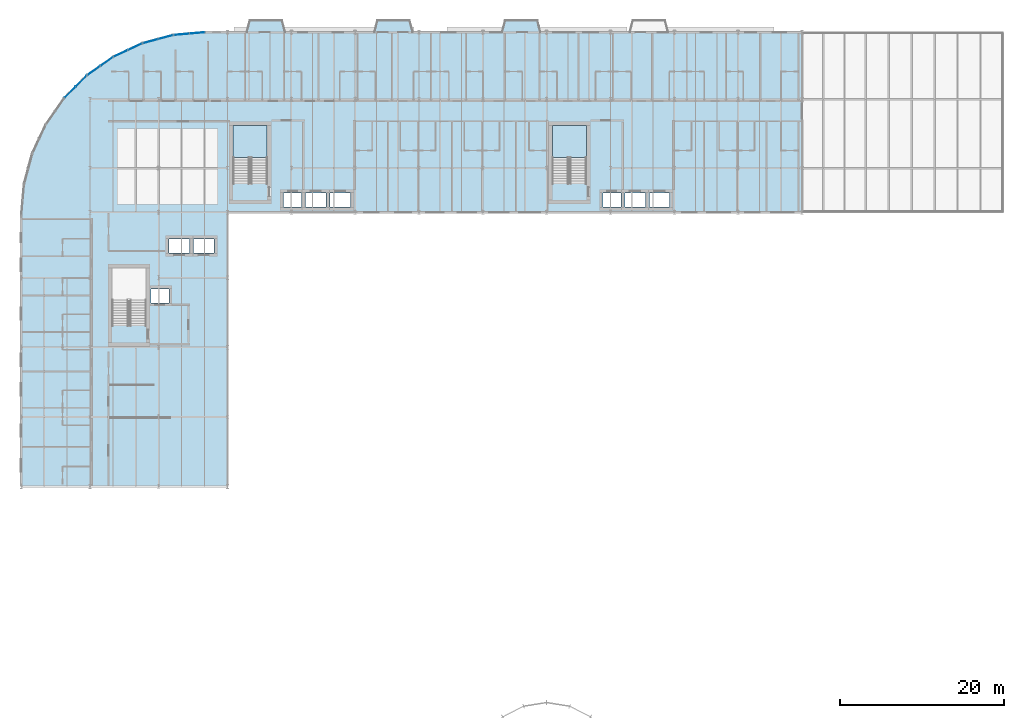
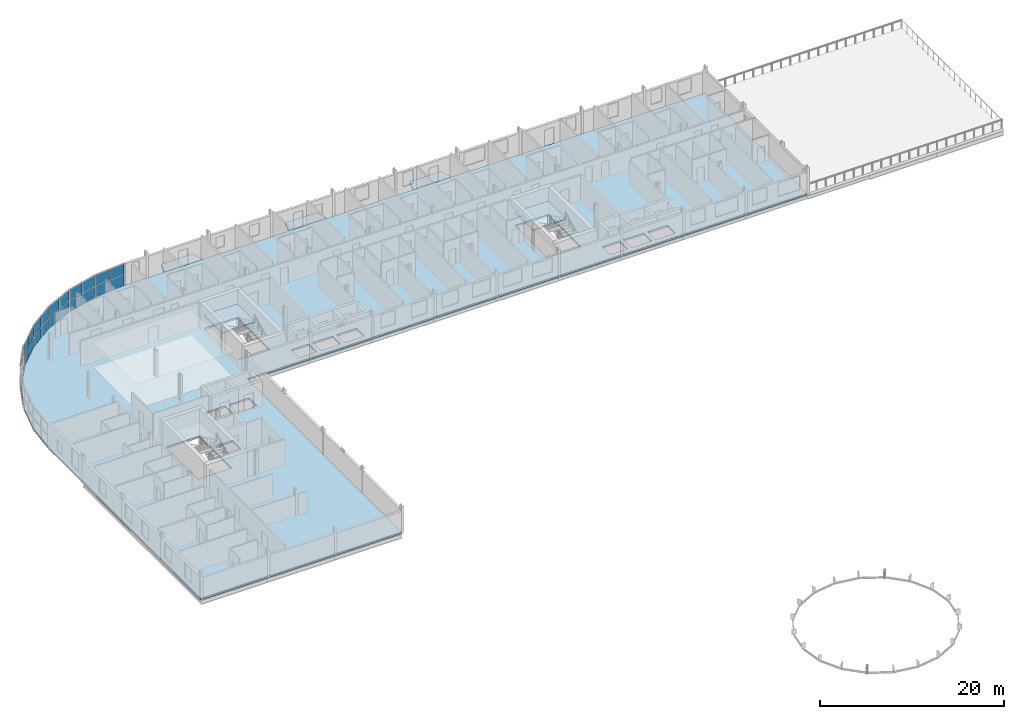
# One storey, part 11 of 30: 20 plates, 6 slabs, 7 elements without a shape of their own.
"""IFC4 building model written with IfcOpenShell, lengths in metres."""

from ifc_helpers import new_model, si_unit, direction, frame, origin, origin_2d, place, context, subcontext, project, spatial, polyline, rectangle, outline, extrude, material, layer, layer_set, type_object, element, aggregate, save


model = new_model("IFC4")

# Units and contexts
model_context = context("Model", 3, precision=1e-05, world=origin(), true_north=direction((0.0, 1.0)))
body_context = subcontext(model_context, "Body", "Model", "MODEL_VIEW")
ifc_project = project(units=[si_unit("LENGTHUNIT", "METRE"), si_unit("AREAUNIT", "SQUARE_METRE"), si_unit("VOLUMEUNIT", "CUBIC_METRE"), si_unit("PLANEANGLEUNIT", "RADIAN"), si_unit("MASSUNIT", "GRAM", prefix="KILO")], contexts=[model_context])

# Site, building, storey
site_placement = place(None, origin())
site = spatial("IfcSite", under=ifc_project, at=site_placement, CompositionType="ELEMENT")
building_placement = place(site_placement, origin())
building = spatial("IfcBuilding", under=site, at=building_placement, Name="Sefraquen Railside Congress Hotel", CompositionType="ELEMENT")
storey_placement = place(building_placement, frame((0.0, 0.0, 35.39990234375)))
storey = spatial("IfcBuildingStorey", under=building, at=storey_placement, Name="L08", CompositionType="ELEMENT", Elevation=35.39990234375)

# Curtain wall, plates
ifc_material_1 = material(Name="Thermally broken anodised aluminium and low-E double glazing", Category="aluminium")
ifc_layer_1 = layer(ifc_material_1, 0.199951171875)
ifc_layer_set_1 = layer_set([ifc_layer_1], Name="Thermally broken anodised aluminium and low-E double glazing")
curtain_wall_type_1 = type_object("IfcCurtainWallType", Name="TCW-UCW-09", PredefinedType="USERDEFINED", material=ifc_layer_set_1)
curtain_wall_1_placement = place(storey_placement, origin())
curtain_wall_1 = element("IfcCurtainWall", 1, at=curtain_wall_1_placement, inside=storey, type_object=curtain_wall_type_1, Name="Rotunda L08 curved curtain wall facet 1", ObjectType="UNITISED CURTAIN WALL", PredefinedType="USERDEFINED")
ifc_material_2 = material(Name="Solar-control low-E double glazing", Category="glass")
ifc_layer_2 = layer(ifc_material_2, 0.02392578125)
ifc_layer_set_2 = layer_set([ifc_layer_2], Name="Solar-control low-E double glazing")
plate_type_1 = type_object("IfcPlateType", Name="TP-CWP-01", PredefinedType="CURTAIN_PANEL", material=ifc_layer_set_2)
plate_1_placement = place(storey_placement, frame((21.50341796875, 117.912841796875, 0.0400390625), z_axis=(0.0, 0.0, 1.0), x_axis=(-0.996196219095, -0.087138355857, 0.0)))
plate_1 = element("IfcPlate", 2, at=plate_1_placement, type_object=plate_type_1, Name="CW-L08-ROT-01 panel 1.1", PredefinedType="CURTAIN_PANEL", context=body_context, shape_type="SweptSolid", body=[
    extrude(rectangle(XDim=1.8310546875, YDim=0.02392578125, at=origin_2d()), origin(), (0.0, 0.0, 1.0), 1.385009765625),
])
plate_2_placement = place(storey_placement, frame((19.589599609375, 117.745361328125, 0.0400390625), z_axis=(0.0, 0.0, 1.0), x_axis=(-0.996196219095, -0.087138355857, 0.0)))
plate_2 = element("IfcPlate", 3, at=plate_2_placement, type_object=plate_type_1, Name="CW-L08-ROT-01 panel 1.2", PredefinedType="CURTAIN_PANEL", context=body_context, shape_type="SweptSolid", body=[
    extrude(rectangle(XDim=1.8310546875, YDim=0.02392578125, at=origin_2d()), origin(), (0.0, 0.0, 1.0), 1.385009765625),
])

ifc_layer_3 = layer(ifc_material_1, 0.199951171875)
ifc_layer_set_3 = layer_set([ifc_layer_3], Name="Thermally broken anodised aluminium and low-E double glazing")
curtain_wall_type_2 = type_object("IfcCurtainWallType", Name="TCW-UCW-10", PredefinedType="USERDEFINED", material=ifc_layer_set_3)
curtain_wall_2_placement = place(storey_placement, origin())
curtain_wall_2 = element("IfcCurtainWall", 4, at=curtain_wall_2_placement, inside=storey, type_object=curtain_wall_type_2, Name="Rotunda L08 curved curtain wall facet 2", ObjectType="UNITISED CURTAIN WALL", PredefinedType="USERDEFINED")
plate_3_placement = place(storey_placement, frame((17.62646484375, 117.399169921875, 0.0400390625), z_axis=(0.0, 0.0, 1.0), x_axis=(-0.96593486019, -0.258785327773, 0.0)))
plate_3 = element("IfcPlate", 5, at=plate_3_placement, type_object=plate_type_1, Name="CW-L08-ROT-02 panel 1.1", PredefinedType="CURTAIN_PANEL", context=body_context, shape_type="SweptSolid", body=[
    extrude(rectangle(XDim=1.8310546875, YDim=0.02392578125, at=origin_2d()), origin(), (0.0, 0.0, 1.0), 1.385009765625),
])
plate_4_placement = place(storey_placement, frame((15.77099609375, 116.902099609375, 0.0400390625), z_axis=(0.0, 0.0, 1.0), x_axis=(-0.96593486019, -0.258785327773, 0.0)))
plate_4 = element("IfcPlate", 6, at=plate_4_placement, type_object=plate_type_1, Name="CW-L08-ROT-02 panel 1.2", PredefinedType="CURTAIN_PANEL", context=body_context, shape_type="SweptSolid", body=[
    extrude(rectangle(XDim=1.8310546875, YDim=0.02392578125, at=origin_2d()), origin(), (0.0, 0.0, 1.0), 1.385009765625),
])

ifc_layer_4 = layer(ifc_material_1, 0.199951171875)
ifc_layer_set_4 = layer_set([ifc_layer_4], Name="Thermally broken anodised aluminium and low-E double glazing")
curtain_wall_type_3 = type_object("IfcCurtainWallType", Name="TCW-UCW-11", PredefinedType="USERDEFINED", material=ifc_layer_set_4)
curtain_wall_3_placement = place(storey_placement, origin())
curtain_wall_3 = element("IfcCurtainWall", 7, at=curtain_wall_3_placement, inside=storey, type_object=curtain_wall_type_3, Name="Rotunda L08 curved curtain wall facet 3", ObjectType="UNITISED CURTAIN WALL", PredefinedType="USERDEFINED")
plate_5_placement = place(storey_placement, frame((13.897705078125, 116.22021484375, 0.0400390625), z_axis=(0.0, 0.0, 1.0), x_axis=(-0.906300410818, -0.422634079731, 0.0)))
plate_5 = element("IfcPlate", 8, at=plate_5_placement, type_object=plate_type_1, Name="CW-L08-ROT-03 panel 1.1", PredefinedType="CURTAIN_PANEL", context=body_context, shape_type="SweptSolid", body=[
    extrude(rectangle(XDim=1.830810546875, YDim=0.02392578125, at=origin_2d()), origin(), (0.0, 0.0, 1.0), 1.385009765625),
])
plate_6_placement = place(storey_placement, frame((12.15673828125, 115.408447265625, 0.0400390625), z_axis=(0.0, 0.0, 1.0), x_axis=(-0.906300410818, -0.422634079731, 0.0)))
plate_6 = element("IfcPlate", 9, at=plate_6_placement, type_object=plate_type_1, Name="CW-L08-ROT-03 panel 1.2", PredefinedType="CURTAIN_PANEL", context=body_context, shape_type="SweptSolid", body=[
    extrude(rectangle(XDim=1.830810546875, YDim=0.02392578125, at=origin_2d()), origin(), (0.0, 0.0, 1.0), 1.385009765625),
])

ifc_layer_5 = layer(ifc_material_1, 0.199951171875)
ifc_layer_set_5 = layer_set([ifc_layer_5], Name="Thermally broken anodised aluminium and low-E double glazing")
curtain_wall_type_4 = type_object("IfcCurtainWallType", Name="TCW-UCW-12", PredefinedType="USERDEFINED", material=ifc_layer_set_5)
curtain_wall_4_placement = place(storey_placement, origin())
curtain_wall_4 = element("IfcCurtainWall", 10, at=curtain_wall_4_placement, inside=storey, type_object=curtain_wall_type_4, Name="Rotunda L08 curved curtain wall facet 4", ObjectType="UNITISED CURTAIN WALL", PredefinedType="USERDEFINED")
plate_7_placement = place(storey_placement, frame((10.430419921875, 114.411865234375, 0.0400390625), z_axis=(0.0, 0.0, 1.0), x_axis=(-0.819132022195, -0.573605029802, 0.0)))
plate_7 = element("IfcPlate", 11, at=plate_7_placement, type_object=plate_type_1, Name="CW-L08-ROT-04 panel 1.1", PredefinedType="CURTAIN_PANEL", context=body_context, shape_type="SweptSolid", body=[
    extrude(rectangle(XDim=1.8310546875, YDim=0.02392578125, at=origin_2d()), origin(), (0.0, 0.0, 1.0), 1.385009765625),
])
plate_8_placement = place(storey_placement, frame((8.856689453125, 113.309814453125, 0.0400390625), z_axis=(0.0, 0.0, 1.0), x_axis=(-0.819132022195, -0.573605029802, 0.0)))
plate_8 = element("IfcPlate", 12, at=plate_8_placement, type_object=plate_type_1, Name="CW-L08-ROT-04 panel 1.2", PredefinedType="CURTAIN_PANEL", context=body_context, shape_type="SweptSolid", body=[
    extrude(rectangle(XDim=1.8310546875, YDim=0.02392578125, at=origin_2d()), origin(), (0.0, 0.0, 1.0), 1.385009765625),
])

ifc_layer_6 = layer(ifc_material_1, 0.199951171875)
ifc_layer_set_6 = layer_set([ifc_layer_6], Name="Thermally broken anodised aluminium and low-E double glazing")
curtain_wall_type_5 = type_object("IfcCurtainWallType", Name="TCW-UCW-13", PredefinedType="USERDEFINED", material=ifc_layer_set_6)
curtain_wall_5_placement = place(storey_placement, origin())
curtain_wall_5 = element("IfcCurtainWall", 13, at=curtain_wall_5_placement, inside=storey, type_object=curtain_wall_type_5, Name="Rotunda L08 curved curtain wall facet 5", ObjectType="UNITISED CURTAIN WALL", PredefinedType="USERDEFINED")
plate_9_placement = place(storey_placement, frame((7.329833984375, 112.028564453125, 0.0400390625), z_axis=(0.0, 0.0, 1.0), x_axis=(-0.707106781187, -0.707106781187, 0.0)))
plate_9 = element("IfcPlate", 14, at=plate_9_placement, type_object=plate_type_1, Name="CW-L08-ROT-05 panel 1.1", PredefinedType="CURTAIN_PANEL", context=body_context, shape_type="SweptSolid", body=[
    extrude(rectangle(XDim=1.8310546875, YDim=0.02392578125, at=origin_2d()), origin(), (0.0, 0.0, 1.0), 1.385009765625),
])
plate_10_placement = place(storey_placement, frame((5.971435546875, 110.670166015625, 0.0400390625), z_axis=(0.0, 0.0, 1.0), x_axis=(-0.707106781187, -0.707106781187, 0.0)))
plate_10 = element("IfcPlate", 15, at=plate_10_placement, type_object=plate_type_1, Name="CW-L08-ROT-05 panel 1.2", PredefinedType="CURTAIN_PANEL", context=body_context, shape_type="SweptSolid", body=[
    extrude(rectangle(XDim=1.8310546875, YDim=0.02392578125, at=origin_2d()), origin(), (0.0, 0.0, 1.0), 1.385009765625),
])

# Plate
ifc_material_3 = material(Name="Triple acoustic solar-control glazing", Category="glass")
ifc_layer_7 = layer(ifc_material_3, 0.031982421875)
ifc_layer_set_7 = layer_set([ifc_layer_7], Name="Triple acoustic solar-control glazing")
plate_type_2 = type_object("IfcPlateType", Name="TP-CWP-02", PredefinedType="CURTAIN_PANEL", material=ifc_layer_set_7)
plate_11_placement = place(storey_placement, frame((21.50341796875, 117.912841796875, 1.5048828125), z_axis=(0.0, 0.0, 1.0), x_axis=(-0.996196219095, -0.087138355857, 0.0)))
plate_11 = element("IfcPlate", 16, at=plate_11_placement, type_object=plate_type_2, Name="CW-L08-ROT-01 panel 2.1", PredefinedType="CURTAIN_PANEL", context=body_context, shape_type="SweptSolid", body=[
    extrude(rectangle(XDim=1.8310546875, YDim=0.031982421875, at=origin_2d()), origin(), (0.0, 0.0, 1.0), 1.385009765625),
])

plate_12_placement = place(storey_placement, frame((19.589599609375, 117.745361328125, 1.5048828125), z_axis=(0.0, 0.0, 1.0), x_axis=(-0.996196219095, -0.087138355857, 0.0)))
plate_12 = element("IfcPlate", 17, at=plate_12_placement, type_object=plate_type_2, Name="CW-L08-ROT-01 panel 2.2", PredefinedType="CURTAIN_PANEL", context=body_context, shape_type="SweptSolid", body=[
    extrude(rectangle(XDim=1.8310546875, YDim=0.031982421875, at=origin_2d()), origin(), (0.0, 0.0, 1.0), 1.385009765625),
])

aggregate(curtain_wall_1, [plate_1, plate_2, plate_11, plate_12])

plate_13_placement = place(storey_placement, frame((17.62646484375, 117.399169921875, 1.5048828125), z_axis=(0.0, 0.0, 1.0), x_axis=(-0.96593486019, -0.258785327773, 0.0)))
plate_13 = element("IfcPlate", 18, at=plate_13_placement, type_object=plate_type_2, Name="CW-L08-ROT-02 panel 2.1", PredefinedType="CURTAIN_PANEL", context=body_context, shape_type="SweptSolid", body=[
    extrude(rectangle(XDim=1.8310546875, YDim=0.031982421875, at=origin_2d()), origin(), (0.0, 0.0, 1.0), 1.385009765625),
])

plate_14_placement = place(storey_placement, frame((15.77099609375, 116.902099609375, 1.5048828125), z_axis=(0.0, 0.0, 1.0), x_axis=(-0.96593486019, -0.258785327773, 0.0)))
plate_14 = element("IfcPlate", 19, at=plate_14_placement, type_object=plate_type_2, Name="CW-L08-ROT-02 panel 2.2", PredefinedType="CURTAIN_PANEL", context=body_context, shape_type="SweptSolid", body=[
    extrude(rectangle(XDim=1.8310546875, YDim=0.031982421875, at=origin_2d()), origin(), (0.0, 0.0, 1.0), 1.385009765625),
])

aggregate(curtain_wall_2, [plate_3, plate_4, plate_13, plate_14])

plate_15_placement = place(storey_placement, frame((13.897705078125, 116.22021484375, 1.5048828125), z_axis=(0.0, 0.0, 1.0), x_axis=(-0.906300410818, -0.422634079731, 0.0)))
plate_15 = element("IfcPlate", 20, at=plate_15_placement, type_object=plate_type_2, Name="CW-L08-ROT-03 panel 2.1", PredefinedType="CURTAIN_PANEL", context=body_context, shape_type="SweptSolid", body=[
    extrude(rectangle(XDim=1.830810546875, YDim=0.031982421875, at=origin_2d()), origin(), (0.0, 0.0, 1.0), 1.385009765625),
])

plate_16_placement = place(storey_placement, frame((12.15673828125, 115.408447265625, 1.5048828125), z_axis=(0.0, 0.0, 1.0), x_axis=(-0.906300410818, -0.422634079731, 0.0)))
plate_16 = element("IfcPlate", 21, at=plate_16_placement, type_object=plate_type_2, Name="CW-L08-ROT-03 panel 2.2", PredefinedType="CURTAIN_PANEL", context=body_context, shape_type="SweptSolid", body=[
    extrude(rectangle(XDim=1.830810546875, YDim=0.031982421875, at=origin_2d()), origin(), (0.0, 0.0, 1.0), 1.385009765625),
])

aggregate(curtain_wall_3, [plate_5, plate_6, plate_15, plate_16])

plate_17_placement = place(storey_placement, frame((10.430419921875, 114.411865234375, 1.5048828125), z_axis=(0.0, 0.0, 1.0), x_axis=(-0.819132022195, -0.573605029802, 0.0)))
plate_17 = element("IfcPlate", 22, at=plate_17_placement, type_object=plate_type_2, Name="CW-L08-ROT-04 panel 2.1", PredefinedType="CURTAIN_PANEL", context=body_context, shape_type="SweptSolid", body=[
    extrude(rectangle(XDim=1.8310546875, YDim=0.031982421875, at=origin_2d()), origin(), (0.0, 0.0, 1.0), 1.385009765625),
])

plate_18_placement = place(storey_placement, frame((8.856689453125, 113.309814453125, 1.5048828125), z_axis=(0.0, 0.0, 1.0), x_axis=(-0.819132022195, -0.573605029802, 0.0)))
plate_18 = element("IfcPlate", 23, at=plate_18_placement, type_object=plate_type_2, Name="CW-L08-ROT-04 panel 2.2", PredefinedType="CURTAIN_PANEL", context=body_context, shape_type="SweptSolid", body=[
    extrude(rectangle(XDim=1.8310546875, YDim=0.031982421875, at=origin_2d()), origin(), (0.0, 0.0, 1.0), 1.385009765625),
])

aggregate(curtain_wall_4, [plate_7, plate_8, plate_17, plate_18])

plate_19_placement = place(storey_placement, frame((7.329833984375, 112.028564453125, 1.5048828125), z_axis=(0.0, 0.0, 1.0), x_axis=(-0.707106781187, -0.707106781187, 0.0)))
plate_19 = element("IfcPlate", 24, at=plate_19_placement, type_object=plate_type_2, Name="CW-L08-ROT-05 panel 2.1", PredefinedType="CURTAIN_PANEL", context=body_context, shape_type="SweptSolid", body=[
    extrude(rectangle(XDim=1.8310546875, YDim=0.031982421875, at=origin_2d()), origin(), (0.0, 0.0, 1.0), 1.385009765625),
])

plate_20_placement = place(storey_placement, frame((5.971435546875, 110.670166015625, 1.5048828125), z_axis=(0.0, 0.0, 1.0), x_axis=(-0.707106781187, -0.707106781187, 0.0)))
plate_20 = element("IfcPlate", 25, at=plate_20_placement, type_object=plate_type_2, Name="CW-L08-ROT-05 panel 2.2", PredefinedType="CURTAIN_PANEL", context=body_context, shape_type="SweptSolid", body=[
    extrude(rectangle(XDim=1.8310546875, YDim=0.031982421875, at=origin_2d()), origin(), (0.0, 0.0, 1.0), 1.385009765625),
])

aggregate(curtain_wall_5, [plate_9, plate_10, plate_19, plate_20])

# Slabs
ifc_material_4 = material(Name="Concrete C40/50", Category="concrete")
ifc_layer_8 = layer(ifc_material_4, 0.179931640625)
ifc_layer_set_8 = layer_set([ifc_layer_8], Name="Concrete C40/50")
slab_type_1 = type_object("IfcSlabType", Name="TS-BL-180", PredefinedType="FLOOR", material=ifc_layer_set_8)
slab_1_placement = place(storey_placement, frame((0.0, 0.0, -0.179931640625)))
element("IfcSlab", 26, at=slab_1_placement, inside=storey, type_object=slab_type_1, Name="Hotel Art Nouveau balcony slab L08-01", PredefinedType="FLOOR", context=body_context, shape_type="SweptSolid", body=[
    extrude(outline(polyline([(27.5, 118.0), (32.300048828125, 118.0), (31.89990234375, 119.5), (27.89990234375, 119.5), (27.5, 118.0)])), origin(), (0.0, 0.0, 1.0), 0.179931640625),
])
slab_2_placement = place(storey_placement, frame((0.0, 0.0, -0.179931640625)))
element("IfcSlab", 27, at=slab_2_placement, inside=storey, type_object=slab_type_1, Name="Hotel Art Nouveau balcony slab L08-02", PredefinedType="FLOOR", context=body_context, shape_type="SweptSolid", body=[
    extrude(outline(polyline([(43.10009765625, 118.0), (47.89990234375, 118.0), (47.5, 119.5), (43.5, 119.5), (43.10009765625, 118.0)])), origin(), (0.0, 0.0, 1.0), 0.179931640625),
])
slab_3_placement = place(storey_placement, frame((0.0, 0.0, -0.179931640625)))
element("IfcSlab", 28, at=slab_3_placement, inside=storey, type_object=slab_type_1, Name="Hotel Art Nouveau balcony slab L08-03", PredefinedType="FLOOR", context=body_context, shape_type="SweptSolid", body=[
    extrude(outline(polyline([(58.699951171875, 118.0), (63.5, 118.0), (63.10009765625, 119.5), (59.10009765625, 119.5), (58.699951171875, 118.0)])), origin(), (0.0, 0.0, 1.0), 0.179931640625),
])
ifc_layer_9 = layer(ifc_material_4, 0.239990234375)
ifc_layer_set_9 = layer_set([ifc_layer_9], Name="Concrete C40/50")
slab_type_2 = type_object("IfcSlabType", Name="TS-FS-240", PredefinedType="FLOOR", material=ifc_layer_set_9)
slab_4_placement = place(storey_placement, frame((0.0, 0.0, -0.239990234375)))
element("IfcSlab", 29, at=slab_4_placement, inside=storey, type_object=slab_type_2, Name="Hotel Wing L08 floor slab", PredefinedType="FLOOR", context=body_context, shape_type="SweptSolid", body=[
    extrude(outline(polyline([(0.0, 62.5), (25.199951171875, 62.5), (25.199951171875, 96.0), (95.39990234375, 96.0), (95.39990234375, 118.0), (22.5, 118.0), (18.593017578125, 117.658203125), (14.804443359375, 116.64306640625), (11.25, 114.985595703125), (8.037353515625, 112.736083984375), (5.263916015625, 109.962646484375), (3.014404296875, 106.75), (1.35693359375, 103.195556640625), (0.341796875, 99.406982421875), (0.0, 95.5), (0.0, 62.5)]), holes=[polyline([(11.10009765625, 82.219970703125), (15.260009765625, 82.219970703125), (15.260009765625, 89.2119140625), (11.10009765625, 89.2119140625), (11.10009765625, 82.219970703125)]), polyline([(25.89990234375, 99.6201171875), (30.06005859375, 99.6201171875), (30.06005859375, 106.612060546875), (25.89990234375, 106.612060546875), (25.89990234375, 99.6201171875)]), polyline([(64.89990234375, 99.6201171875), (69.06005859375, 99.6201171875), (69.06005859375, 106.612060546875), (64.89990234375, 106.612060546875), (64.89990234375, 99.6201171875)]), polyline([(15.830078125, 84.949951171875), (18.030029296875, 84.949951171875), (18.030029296875, 86.64990234375), (15.830078125, 86.64990234375), (15.830078125, 84.949951171875)]), polyline([(32.06005859375, 96.64990234375), (34.260009765625, 96.64990234375), (34.260009765625, 98.35009765625), (32.06005859375, 98.35009765625), (32.06005859375, 96.64990234375)]), polyline([(71.06005859375, 96.64990234375), (73.260009765625, 96.64990234375), (73.260009765625, 98.35009765625), (71.06005859375, 98.35009765625), (71.06005859375, 96.64990234375)]), polyline([(18.050048828125, 91.050048828125), (20.550048828125, 91.050048828125), (20.550048828125, 92.75), (18.050048828125, 92.75), (18.050048828125, 91.050048828125)]), polyline([(21.0400390625, 91.050048828125), (23.5400390625, 91.050048828125), (23.5400390625, 92.75), (21.0400390625, 92.75), (21.0400390625, 91.050048828125)]), polyline([(34.75, 96.64990234375), (37.25, 96.64990234375), (37.25, 98.35009765625), (34.75, 98.35009765625), (34.75, 96.64990234375)]), polyline([(37.739990234375, 96.64990234375), (40.239990234375, 96.64990234375), (40.239990234375, 98.35009765625), (37.739990234375, 98.35009765625), (37.739990234375, 96.64990234375)]), polyline([(73.75, 96.64990234375), (76.25, 96.64990234375), (76.25, 98.35009765625), (73.75, 98.35009765625), (73.75, 96.64990234375)]), polyline([(76.739990234375, 96.64990234375), (79.239990234375, 96.64990234375), (79.239990234375, 98.35009765625), (76.739990234375, 98.35009765625), (76.739990234375, 96.64990234375)])]), origin(), (0.0, 0.0, 1.0), 0.239990234375),
])

# Stair, slab
stair_type_1 = type_object("IfcStairType", Name="TST-DOG-198-420", PredefinedType="HALF_TURN_STAIR", material=ifc_material_4)
stair_1_placement = place(storey_placement, origin())
stair_1 = element("IfcStair", 30, at=stair_1_placement, inside=storey, type_object=stair_type_1, Name="L08 Pressurized escape stair ST-H02", PredefinedType="HALF_TURN_STAIR")
ifc_layer_10 = layer(ifc_material_4, 0.199951171875)
ifc_layer_set_10 = layer_set([ifc_layer_10], Name="Concrete C40/50")
slab_type_3 = type_object("IfcSlabType", Name="TS-LD-200", PredefinedType="LANDING", material=ifc_layer_set_10)
slab_5_placement = place(storey_placement, frame((0.0, 0.0, 1.60009765625)))
slab_5 = element("IfcSlab", 31, at=slab_5_placement, type_object=slab_type_3, Name="ST-H02 landing 1", PredefinedType="LANDING", context=body_context, shape_type="SweptSolid", body=[
    extrude(outline(polyline([(30.06005859375, 102.699951171875), (30.06005859375, 106.612060546875), (25.89990234375, 106.612060546875), (25.89990234375, 102.699951171875), (30.06005859375, 102.699951171875)])), origin(), (0.0, 0.0, 1.0), 0.199951171875),
])
aggregate(stair_1, [slab_5])

stair_type_2 = type_object("IfcStairType", Name="TST-DOG-198-450", PredefinedType="HALF_TURN_STAIR", material=ifc_material_4)
stair_2_placement = place(storey_placement, origin())
stair_2 = element("IfcStair", 32, at=stair_2_placement, inside=storey, type_object=stair_type_2, Name="L08 Pressurized escape stair ST-H03", PredefinedType="HALF_TURN_STAIR")
slab_6_placement = place(storey_placement, frame((0.0, 0.0, 1.60009765625)))
slab_6 = element("IfcSlab", 33, at=slab_6_placement, type_object=slab_type_3, Name="ST-H03 landing 1", PredefinedType="LANDING", context=body_context, shape_type="SweptSolid", body=[
    extrude(outline(polyline([(69.06005859375, 102.699951171875), (69.06005859375, 106.612060546875), (64.89990234375, 106.612060546875), (64.89990234375, 102.699951171875), (69.06005859375, 102.699951171875)])), origin(), (0.0, 0.0, 1.0), 0.199951171875),
])
aggregate(stair_2, [slab_6])

save(model, "model.ifc")
